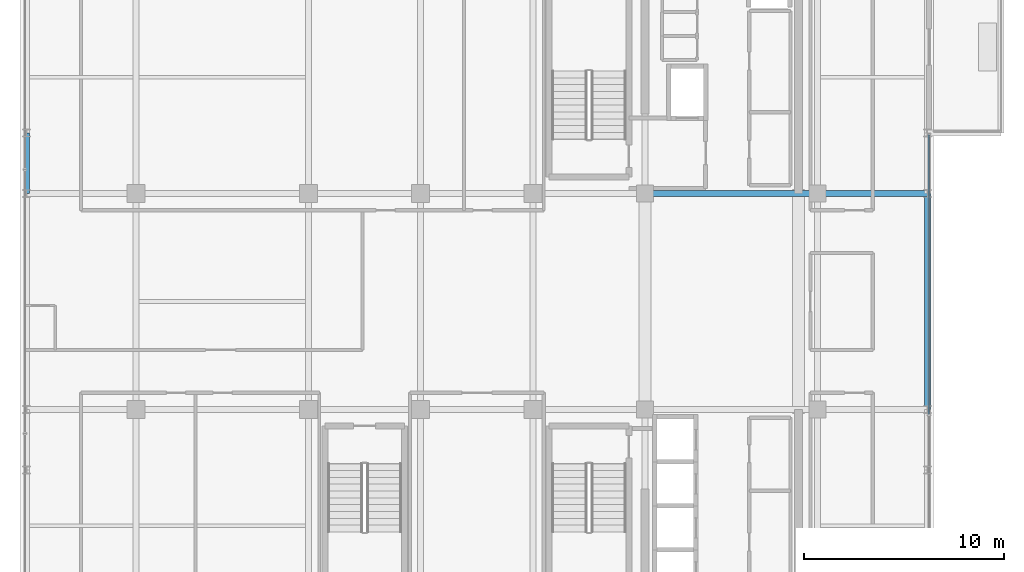
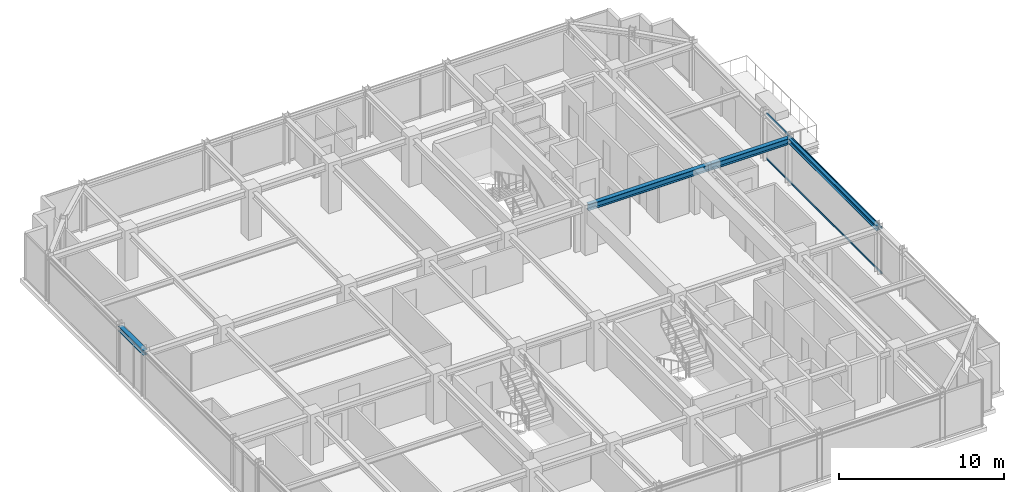
# One storey, part 14 of 33: 4 beams, 2 members, 1 element without a shape of its own.
"""IFC4 building model written with IfcOpenShell, lengths in metres."""

from ifc_helpers import new_model, si_unit, direction, frame, origin, origin_2d, place, context, subcontext, project, spatial, hollow_rectangle, i_section, extrude, source, transform, mapped, material, material_profile, profile_set, type_object, element, aggregate, save


model = new_model("IFC4")

# Units and contexts
model_context = context("Model", 3, precision=1e-05, world=origin(), true_north=direction((0.0, 1.0)))
body_context = subcontext(model_context, "Body", "Model", "MODEL_VIEW")
ifc_project = project(units=[si_unit("LENGTHUNIT", "METRE"), si_unit("AREAUNIT", "SQUARE_METRE"), si_unit("VOLUMEUNIT", "CUBIC_METRE"), si_unit("PLANEANGLEUNIT", "RADIAN"), si_unit("MASSUNIT", "GRAM", prefix="KILO")], contexts=[model_context])

# Site, building, storey
site_placement = place(None, origin())
site = spatial("IfcSite", under=ifc_project, at=site_placement, CompositionType="ELEMENT")
building_placement = place(site_placement, origin())
building = spatial("IfcBuilding", under=site, at=building_placement, Name="Nahalor Promenade Grand Hotel", CompositionType="ELEMENT")
storey_placement = place(building_placement, frame((0.0, 0.0, 270.050048828125)))
storey = spatial("IfcBuildingStorey", under=building, at=storey_placement, Name="L69", CompositionType="ELEMENT", Elevation=270.050048828125)

# Beams
ifc_material_1 = material(Name="Steel S355JR", Category="steel")
ifc_material_profile_1 = material_profile(ifc_material_1, i_section(OverallWidth=0.3, OverallDepth=0.45, WebThickness=0.014, FlangeThickness=0.026, at=origin_2d()), Name="HEB 450")
ifc_profile_set_1 = profile_set([ifc_material_profile_1], Name="Steel S355JR")
beam_type_1 = type_object("IfcBeamType", Name="Beam-Girder-HEB450", PredefinedType="BEAM", material=ifc_profile_set_1)
shared_shape_1 = source(origin(), body_context, "Body", "SweptSolid", [
    extrude(i_section(OverallWidth=0.3, OverallDepth=0.45, WebThickness=0.014, FlangeThickness=0.026, at=origin_2d()), origin(), (0.0, 0.0, 1.0), 8.60009765625),
])
beam_1_placement = place(storey_placement, frame((8.39990234375, 5.39990234375, 3.224853515625), z_axis=(1.0, 0.0, 0.0), x_axis=(0.0, 1.0, 0.0)))
element("IfcBeam", 1, at=beam_1_placement, inside=storey, type_object=beam_type_1, Name="BM-L69-GX-2-5", PredefinedType="BEAM", context=body_context, shape_type="MappedRepresentation", body=[
    mapped(shared_shape_1, transform((0.0, 0.0, 0.0), scale=1.0)),
])
shared_shape_2 = source(origin(), body_context, "Body", "SweptSolid", [
    extrude(i_section(OverallWidth=0.3, OverallDepth=0.45, WebThickness=0.014, FlangeThickness=0.026, at=origin_2d()), origin(), (0.0, 0.0, 1.0), 5.47998046875),
])
beam_2_placement = place(storey_placement, frame((17.0, 5.39990234375, 3.224853515625), z_axis=(1.0, 0.0, 0.0), x_axis=(0.0, 1.0, 0.0)))
element("IfcBeam", 2, at=beam_2_placement, inside=storey, type_object=beam_type_1, Name="BM-L69-GX-2-6", PredefinedType="BEAM", context=body_context, shape_type="MappedRepresentation", body=[
    mapped(shared_shape_2, transform((0.0, 0.0, 0.0), scale=1.0)),
])
ifc_material_profile_2 = material_profile(ifc_material_1, i_section(OverallWidth=0.3, OverallDepth=0.36, WebThickness=0.0125, FlangeThickness=0.0225, at=origin_2d()), Name="HEB 360")
ifc_profile_set_2 = profile_set([ifc_material_profile_2], Name="Steel S355JR")
beam_type_2 = type_object("IfcBeamType", Name="Beam-Spandrel-HEB360", PredefinedType="SPANDREL", material=ifc_profile_set_2)
shared_shape_3 = source(origin(), body_context, "Body", "SweptSolid", [
    extrude(i_section(OverallWidth=0.3, OverallDepth=0.36, WebThickness=0.0125, FlangeThickness=0.0225, at=origin_2d()), origin(), (0.0, 0.0, 1.0), 3.0),
])
beam_3_placement = place(storey_placement, frame((-22.47998046875, 5.39990234375, 3.27001953125), z_axis=(0.0, 1.0, 0.0), x_axis=(-1.0, 0.0, 0.0)))
element("IfcBeam", 3, at=beam_3_placement, inside=storey, type_object=beam_type_2, Name="BM-L69-SP-W-3", PredefinedType="SPANDREL", context=body_context, shape_type="MappedRepresentation", body=[
    mapped(shared_shape_3, transform((0.0, 0.0, 0.0), scale=1.0)),
])
shared_shape_4 = source(origin(), body_context, "Body", "SweptSolid", [
    extrude(i_section(OverallWidth=0.3, OverallDepth=0.36, WebThickness=0.0125, FlangeThickness=0.0225, at=origin_2d()), origin(), (0.0, 0.0, 1.0), 10.7998046875),
])
beam_4_placement = place(storey_placement, frame((22.47998046875, -5.39990234375, 3.27001953125), z_axis=(0.0, 1.0, 0.0), x_axis=(-1.0, 0.0, 0.0)))
element("IfcBeam", 4, at=beam_4_placement, inside=storey, type_object=beam_type_2, Name="BM-L69-SP-E-2", PredefinedType="SPANDREL", context=body_context, shape_type="MappedRepresentation", body=[
    mapped(shared_shape_4, transform((0.0, 0.0, 0.0), scale=1.0)),
])

# Curtain wall, members
ifc_material_2 = material(Name="Anodised Bronze Aluminium EN AW-6063 T6", Category="aluminium")
curtain_wall_type = type_object("IfcCurtainWallType", Name="CW2 Typical Hotel Flush Bronze Unitised Curtain Wall", PredefinedType="USERDEFINED", material=ifc_material_2)
curtain_wall_placement = place(storey_placement, origin())
curtain_wall = element("IfcCurtainWall", 5, at=curtain_wall_placement, inside=storey, type_object=curtain_wall_type, Name="L69 Curtain Wall CW-L69-E-1", ObjectType="UNITISED_CURTAIN_WALL", PredefinedType="USERDEFINED")
ifc_material_profile_3 = material_profile(ifc_material_2, hollow_rectangle(XDim=0.065, YDim=0.13, WallThickness=0.004, at=origin_2d()), Name="CWT 65x130x4")
ifc_profile_set_3 = profile_set([ifc_material_profile_3], Name="Anodised Bronze Aluminium EN AW-6063 T6")
member_type = type_object("IfcMemberType", Name="CWT2 Typical Bronze Transom 65x130", PredefinedType="USERDEFINED", material=ifc_profile_set_3)
shared_shape_5 = source(origin(), body_context, "Body", "SweptSolid", [
    extrude(hollow_rectangle(XDim=0.065, YDim=0.13, WallThickness=0.004, at=origin_2d()), origin(), (0.0, 0.0, 1.0), 13.982421875),
])
member_1_placement = place(storey_placement, frame((22.56005859375, -5.6474609375, 0.06494140625), z_axis=(0.0, 1.0, 0.0), x_axis=(-1.0, 0.0, 0.0)))
member_1 = element("IfcMember", 6, at=member_1_placement, type_object=member_type, Name="CW-L69-E-1 Transom 1-0", ObjectType="TRANSOM", PredefinedType="USERDEFINED", context=body_context, shape_type="MappedRepresentation", body=[
    mapped(shared_shape_5, transform((0.0, 0.0, 0.0), scale=1.0)),
])
member_2_placement = place(storey_placement, frame((22.56005859375, -5.6474609375, 3.385009765625), z_axis=(0.0, 1.0, 0.0), x_axis=(-1.0, 0.0, 0.0)))
member_2 = element("IfcMember", 7, at=member_2_placement, type_object=member_type, Name="CW-L69-E-1 Transom 1-1", ObjectType="TRANSOM", PredefinedType="USERDEFINED", context=body_context, shape_type="MappedRepresentation", body=[
    mapped(shared_shape_5, transform((0.0, 0.0, 0.0), scale=1.0)),
])
aggregate(curtain_wall, [member_1, member_2])

save(model, "model.ifc")
